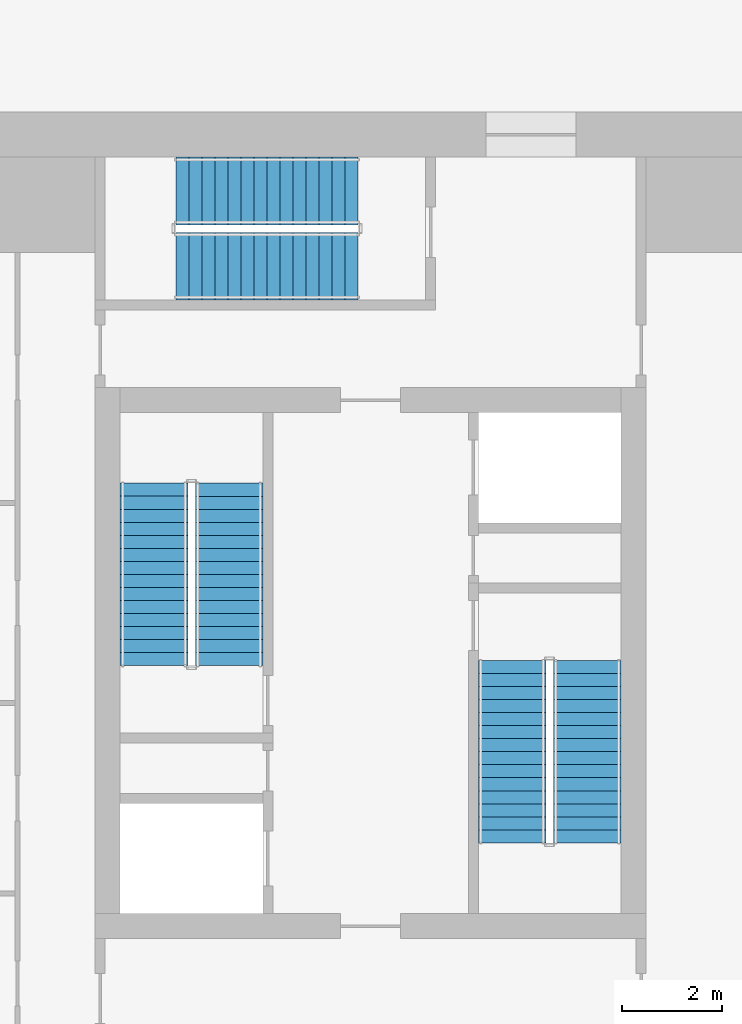
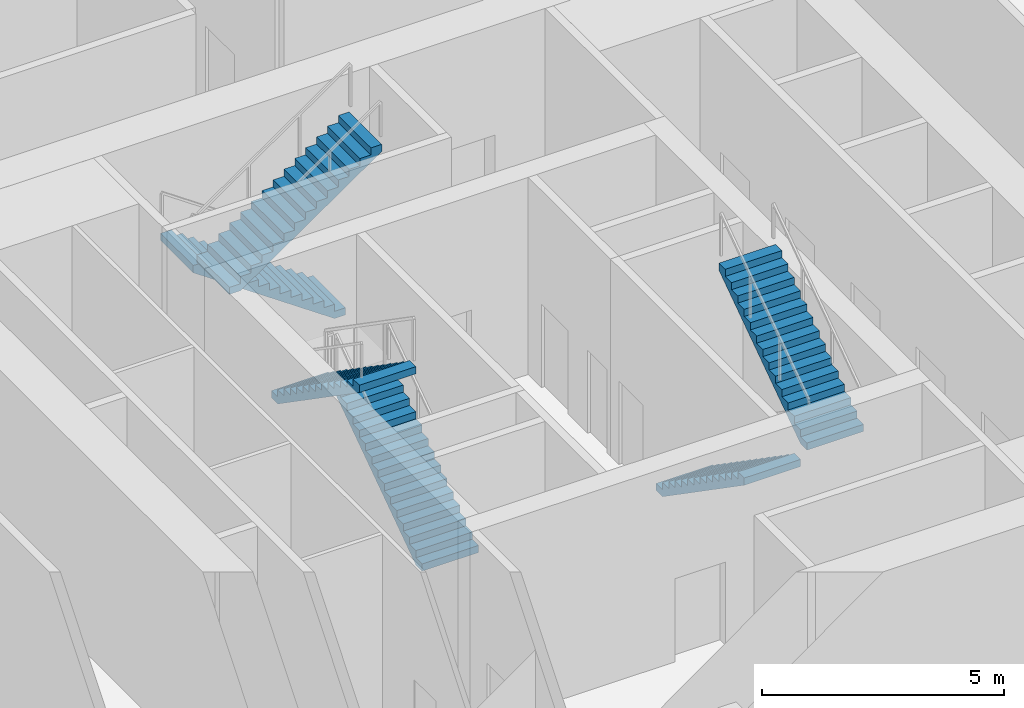
# One storey, part 18 of 21: 6 stair flights, 3 elements without a shape of their own.
"""IFC4 building model written with IfcOpenShell, lengths in metres."""

import ifcopenshell
import ifcopenshell.guid

model = None  # the IFC model being written
_history = None  # IfcOwnerHistory: only IFC2X3 demands one
_inside = {}  # id of a spatial element -> (the spatial element, [elements in it])
_under = {}  # id of a project, library or spatial element -> (it, [spatial elements below it])
_declared = {}  # id of a project -> (the project, [libraries it declares])
_typed = {}  # id of a type object -> (the type object, [elements of that type])
_made_of = {}  # id of a material, layer set ... -> (it, [elements and type objects made of it])


def new_model(schema):
    """Start an empty IFC model of exactly this schema.

    Asked for "IFC4X3", IfcOpenShell would pick the latest addendum, in which some entities
    have other attributes; the version numbers below select the first issue.
    IFC2X3 requires an IfcOwnerHistory on every rooted entity: one is made here for all.
    """
    global model, _history
    if schema == "IFC4X3":
        model = ifcopenshell.file(schema_version=(4, 3, 0, 0))
    else:
        model = ifcopenshell.file(schema=schema)
    _inside.clear()
    _under.clear()
    _declared.clear()
    _typed.clear()
    _made_of.clear()
    _history = None
    if model.schema == "IFC2X3":
        org = make("IfcOrganization", Name="unknown")
        user = make(
            "IfcPersonAndOrganization",
            ThePerson=make("IfcPerson", FamilyName="unknown"),
            TheOrganization=org,
        )
        app = make(
            "IfcApplication",
            ApplicationDeveloper=org,
            Version="unknown",
            ApplicationFullName="unknown",
            ApplicationIdentifier="unknown",
        )
        _history = make(
            "IfcOwnerHistory",
            OwningUser=user,
            OwningApplication=app,
            ChangeAction="ADDED",
            CreationDate=0,
        )
    return model


def make(cls, **values):
    """One entity of the class cls with the attributes given. An attribute that is None is left unset."""
    return model.create_entity(
        cls, **{name: value for name, value in values.items() if value is not None}
    )


def rooted(cls, **values):
    """An entity with a GlobalId (a new one), such as an element, a storey or a relation."""
    return make(cls, GlobalId=ifcopenshell.guid.new(), OwnerHistory=_history, **values)


def si_unit(unit_type, name, prefix=None):
    """IfcSIUnit, for example si_unit("LENGTHUNIT", "METRE", prefix="MILLI")."""
    return make("IfcSIUnit", UnitType=unit_type, Prefix=prefix, Name=name)


def assignment(units):
    """IfcUnitAssignment: the units of a project."""
    return None if units is None else make("IfcUnitAssignment", Units=units)


def point(xyz):
    """IfcCartesianPoint."""
    return None if xyz is None else make("IfcCartesianPoint", Coordinates=xyz)


def direction(xyz):
    """IfcDirection."""
    return None if xyz is None else make("IfcDirection", DirectionRatios=xyz)


def frame(location, z_axis=None, x_axis=None):
    """IfcAxis2Placement3D, a coordinate frame: its origin and axes. An axis left out is left unset."""
    return make(
        "IfcAxis2Placement3D",
        Location=point(location),
        Axis=direction(z_axis),
        RefDirection=direction(x_axis),
    )


def origin():
    """The frame at (0, 0, 0) with its axes left unset."""
    return frame((0.0, 0.0, 0.0))


def place(relative_to, where):
    """IfcLocalPlacement: puts the frame where relative to a parent placement (None: the world)."""
    return make(
        "IfcLocalPlacement", PlacementRelTo=relative_to, RelativePlacement=where
    )


def context(
    kind, dimensions, precision=None, world=None, true_north=None, identifier=None
):
    """IfcGeometricRepresentationContext, for example the 3D "Model" context."""
    return make(
        "IfcGeometricRepresentationContext",
        ContextIdentifier=identifier,
        ContextType=kind,
        CoordinateSpaceDimension=dimensions,
        Precision=precision,
        WorldCoordinateSystem=world,
        TrueNorth=true_north,
    )


def subcontext(parent, identifier, kind, view, scale=None):
    """IfcGeometricRepresentationSubContext, for example "Body" below "Model"."""
    return make(
        "IfcGeometricRepresentationSubContext",
        ContextIdentifier=identifier,
        ContextType=kind,
        ParentContext=parent,
        TargetScale=scale,
        TargetView=view,
    )


def project(units=None, contexts=None):
    """IfcProject with its units and contexts."""
    return rooted(
        "IfcProject",
        Name="project",
        RepresentationContexts=contexts,
        UnitsInContext=assignment(units),
    )


def spatial(cls, under=None, at=None, **own):
    """A site, building, storey or space (cls), placed at a placement, below another one or the project."""
    s = rooted(cls, ObjectPlacement=at, **own)
    if under is not None:
        _under.setdefault(under.id(), (under, []))[1].append(s)
    return s


def polyline(points):
    """IfcPolyline through the points."""
    return make("IfcPolyline", Points=[point(p) for p in points])


def outline(outer, holes=None, kind="AREA"):
    """IfcArbitraryClosedProfileDef: a profile drawn as a closed curve; with holes, ...WithVoids."""
    if holes is None:
        return make("IfcArbitraryClosedProfileDef", ProfileType=kind, OuterCurve=outer)
    return make(
        "IfcArbitraryProfileDefWithVoids",
        ProfileType=kind,
        OuterCurve=outer,
        InnerCurves=holes,
    )


def extrude(swept, where, along, depth):
    """IfcExtrudedAreaSolid: the profile swept, set in the frame where, extruded along a direction by depth."""
    return make(
        "IfcExtrudedAreaSolid",
        SweptArea=swept,
        Position=where,
        ExtrudedDirection=direction(along),
        Depth=depth,
    )


def shape(context_of_items, identifier, shape_type, items):
    """IfcShapeRepresentation: the items that make up one representation, for example the "Body"."""
    return make(
        "IfcShapeRepresentation",
        ContextOfItems=context_of_items,
        RepresentationIdentifier=identifier,
        RepresentationType=shape_type,
        Items=items,
    )


def material(Name=None, Category=None):
    """IfcMaterial."""
    return make("IfcMaterial", Name=Name, Category=Category)


def made_of(thing, what):
    """Note that an element or type object is made of a material, layer set ...; save() writes the relation."""
    if what is not None:
        _made_of.setdefault(what.id(), (what, []))[1].append(thing)
    return thing


def type_object(cls, material=None, **own):
    """A type object (cls), such as IfcWallType, which elements share."""
    return made_of(rooted(cls, **own), material)


def element(
    cls,
    number,
    at=None,
    inside=None,
    cuts=None,
    type_object=None,
    material=None,
    context=None,
    identifier="Body",
    shape_type=None,
    held_by="IfcProductDefinitionShape",
    body=None,
    shapes=None,
    **own,
):
    """One element of the class cls, such as IfcWall. Its Tag is "e" and its number.

    at: its placement. inside: the storey or other place that contains it. cuts: it is an
    opening in that element (IfcRelVoidsElement). A single representation is given by context,
    identifier, shape_type and body (its items); several are given by shapes. held_by: the class
    of the entity that holds the representations. save() writes the other relations.
    """
    e = rooted(cls, Tag="e%d" % number, ObjectPlacement=at, **own)
    if body is not None:
        shapes = [shape(context, identifier, shape_type, body)]
    if shapes is not None:
        e.Representation = make(held_by, Representations=shapes)
    if inside is not None:
        _inside.setdefault(inside.id(), (inside, []))[1].append(e)
    if cuts is not None:
        rooted(
            "IfcRelVoidsElement", RelatingBuildingElement=cuts, RelatedOpeningElement=e
        )
    if type_object is not None:
        _typed.setdefault(type_object.id(), (type_object, []))[1].append(e)
    return made_of(e, material)


def aggregate(whole, parts):
    """IfcRelAggregates: a whole, such as a stair, and the parts it consists of."""
    return rooted("IfcRelAggregates", RelatingObject=whole, RelatedObjects=parts)


def save(model, path):
    """Write the relations noted so far, then the file.

    IfcRelAggregates (storeys below a building ...), IfcRelContainedInSpatialStructure (elements
    in a storey), IfcRelDefinesByType, IfcRelAssociatesMaterial and IfcRelDeclares: one each for
    every whole, place, type object, material and project.
    """
    for whole, parts in _under.values():
        aggregate(whole, parts)
    for where, things in _inside.values():
        rooted(
            "IfcRelContainedInSpatialStructure",
            RelatedElements=things,
            RelatingStructure=where,
        )
    for kind, things in _typed.values():
        rooted("IfcRelDefinesByType", RelatedObjects=things, RelatingType=kind)
    for what, things in _made_of.values():
        rooted("IfcRelAssociatesMaterial", RelatedObjects=things, RelatingMaterial=what)
    for by, libraries in _declared.values():
        rooted("IfcRelDeclares", RelatingContext=by, RelatedDefinitions=libraries)
    model.write(path)


model = new_model("IFC4")

# Units and contexts
model_context = context("Model", 3, precision=1e-05, world=origin(), true_north=direction((0.0, 1.0)))
body_context = subcontext(model_context, "Body", "Model", "MODEL_VIEW")
ifc_project = project(units=[si_unit("LENGTHUNIT", "METRE"), si_unit("AREAUNIT", "SQUARE_METRE"), si_unit("VOLUMEUNIT", "CUBIC_METRE"), si_unit("PLANEANGLEUNIT", "RADIAN"), si_unit("MASSUNIT", "GRAM", prefix="KILO")], contexts=[model_context])

# Site, building, storey
site_placement = place(None, origin())
site = spatial("IfcSite", under=ifc_project, at=site_placement, CompositionType="ELEMENT")
building_placement = place(site_placement, origin())
building = spatial("IfcBuilding", under=site, at=building_placement, Name="Khepri Terraces", CompositionType="ELEMENT")
storey_placement = place(building_placement, frame((0.0, 0.0, 235.199951171875)))
storey = spatial("IfcBuildingStorey", under=building, at=storey_placement, Name="L56", CompositionType="ELEMENT", Elevation=235.199951171875)

# Stair, stair flights
ifc_material = material(Name="Concrete C40/50", Category="concrete")
stair_type = type_object("IfcStairType", Name="STAIR-RC-30R", PredefinedType="HALF_TURN_STAIR", material=ifc_material)
stair_1_placement = place(storey_placement, origin())
stair_1 = element("IfcStair", 1, at=stair_1_placement, inside=storey, type_object=stair_type, Name="L56 Exit Stair ST-1", PredefinedType="HALF_TURN_STAIR")
stair_flight_type = type_object("IfcStairFlightType", Name="SFL-RC-180", PredefinedType="STRAIGHT", material=ifc_material)
stair_flight_1_placement = place(storey_placement, frame((-2.824951171875, -0.050048828125, 0.0), z_axis=(0.0, 0.0, 1.0), x_axis=(0.0, 1.0, 0.0)))
stair_flight_1 = element("IfcStairFlight", 2, at=stair_flight_1_placement, type_object=stair_flight_type, Name="ST-1 flight 1", NumberOfRisers=15, NumberOfTreads=14, PredefinedType="STRAIGHT", RiserHeight=0.18, TreadLength=0.26, context=body_context, shape_type="SweptSolid", body=[
    extrude(outline(polyline([(0.0, 0.0), (0.0, 0.179931640625), (0.260009765625, 0.179931640625), (0.260009765625, 0.360107421875), (0.52001953125, 0.360107421875), (0.52001953125, 0.5400390625), (0.780029296875, 0.5400390625), (0.780029296875, 0.719970703125), (1.0400390625, 0.719970703125), (1.0400390625, 0.89990234375), (1.300048828125, 0.89990234375), (1.300048828125, 1.080078125), (1.56005859375, 1.080078125), (1.56005859375, 1.260009765625), (1.820068359375, 1.260009765625), (1.820068359375, 1.43994140625), (2.080078125, 1.43994140625), (2.080078125, 1.6201171875), (2.340087890625, 1.6201171875), (2.340087890625, 1.800048828125), (2.60009765625, 1.800048828125), (2.60009765625, 1.97998046875), (2.860107421875, 1.97998046875), (2.860107421875, 2.159912109375), (3.1201171875, 2.159912109375), (3.1201171875, 2.340087890625), (3.3798828125, 2.340087890625), (3.3798828125, 2.52001953125), (3.639892578125, 2.52001953125), (3.639892578125, 2.699951171875), (3.639892578125, 2.337646484375), (0.263427734375, 0.0), (0.0, 0.0)])), frame((0.0, 0.675048828125, 0.0), z_axis=(0.0, -1.0, 0.0), x_axis=(1.0, 0.0, 0.0)), (0.0, 0.0, 1.0), 1.35009765625),
])
stair_flight_2_placement = place(storey_placement, frame((-4.324951171875, 3.590087890625, 2.699951171875), z_axis=(0.0, 0.0, 1.0), x_axis=(0.0, -1.0, 0.0)))
stair_flight_2 = element("IfcStairFlight", 3, at=stair_flight_2_placement, type_object=stair_flight_type, Name="ST-1 flight 2", NumberOfRisers=15, NumberOfTreads=14, PredefinedType="STRAIGHT", RiserHeight=0.18, TreadLength=0.26, context=body_context, shape_type="SweptSolid", body=[
    extrude(outline(polyline([(0.0, 0.0), (0.0, 0.179931640625), (0.260009765625, 0.179931640625), (0.260009765625, 0.360107421875), (0.52001953125, 0.360107421875), (0.52001953125, 0.5400390625), (0.780029296875, 0.5400390625), (0.780029296875, 0.719970703125), (1.0400390625, 0.719970703125), (1.0400390625, 0.89990234375), (1.300048828125, 0.89990234375), (1.300048828125, 1.080078125), (1.56005859375, 1.080078125), (1.56005859375, 1.260009765625), (1.820068359375, 1.260009765625), (1.820068359375, 1.43994140625), (2.080078125, 1.43994140625), (2.080078125, 1.6201171875), (2.340087890625, 1.6201171875), (2.340087890625, 1.800048828125), (2.60009765625, 1.800048828125), (2.60009765625, 1.97998046875), (2.860107421875, 1.97998046875), (2.860107421875, 2.159912109375), (3.1201171875, 2.159912109375), (3.1201171875, 2.340087890625), (3.3798828125, 2.340087890625), (3.3798828125, 2.52001953125), (3.639892578125, 2.52001953125), (3.639892578125, 2.699951171875), (3.639892578125, 2.337646484375), (0.263427734375, 0.0), (0.0, 0.0)])), frame((0.0, 0.675048828125, 0.0), z_axis=(0.0, -1.0, 0.0), x_axis=(1.0, 0.0, 0.0)), (0.0, 0.0, 1.0), 1.35009765625),
])
aggregate(stair_1, [stair_flight_1, stair_flight_2])

stair_2_placement = place(storey_placement, origin())
stair_2 = element("IfcStair", 4, at=stair_2_placement, inside=storey, type_object=stair_type, Name="L56 Exit Stair ST-2", PredefinedType="HALF_TURN_STAIR")
stair_flight_3_placement = place(storey_placement, frame((2.824951171875, 0.050048828125, 0.0), z_axis=(0.0, 0.0, 1.0), x_axis=(0.0, -1.0, 0.0)))
stair_flight_3 = element("IfcStairFlight", 5, at=stair_flight_3_placement, type_object=stair_flight_type, Name="ST-2 flight 1", NumberOfRisers=15, NumberOfTreads=14, PredefinedType="STRAIGHT", RiserHeight=0.18, TreadLength=0.26, context=body_context, shape_type="SweptSolid", body=[
    extrude(outline(polyline([(0.0, 0.0), (0.0, 0.179931640625), (0.260009765625, 0.179931640625), (0.260009765625, 0.360107421875), (0.52001953125, 0.360107421875), (0.52001953125, 0.5400390625), (0.780029296875, 0.5400390625), (0.780029296875, 0.719970703125), (1.0400390625, 0.719970703125), (1.0400390625, 0.89990234375), (1.300048828125, 0.89990234375), (1.300048828125, 1.080078125), (1.56005859375, 1.080078125), (1.56005859375, 1.260009765625), (1.820068359375, 1.260009765625), (1.820068359375, 1.43994140625), (2.080078125, 1.43994140625), (2.080078125, 1.6201171875), (2.340087890625, 1.6201171875), (2.340087890625, 1.800048828125), (2.60009765625, 1.800048828125), (2.60009765625, 1.97998046875), (2.860107421875, 1.97998046875), (2.860107421875, 2.159912109375), (3.1201171875, 2.159912109375), (3.1201171875, 2.340087890625), (3.3798828125, 2.340087890625), (3.3798828125, 2.52001953125), (3.639892578125, 2.52001953125), (3.639892578125, 2.699951171875), (3.639892578125, 2.337646484375), (0.263427734375, 0.0), (0.0, 0.0)])), frame((0.0, 0.675048828125, 0.0), z_axis=(0.0, -1.0, 0.0), x_axis=(1.0, 0.0, 0.0)), (0.0, 0.0, 1.0), 1.35009765625),
])
stair_flight_4_placement = place(storey_placement, frame((4.324951171875, -3.590087890625, 2.699951171875), z_axis=(0.0, 0.0, 1.0), x_axis=(0.0, 1.0, 0.0)))
stair_flight_4 = element("IfcStairFlight", 6, at=stair_flight_4_placement, type_object=stair_flight_type, Name="ST-2 flight 2", NumberOfRisers=15, NumberOfTreads=14, PredefinedType="STRAIGHT", RiserHeight=0.18, TreadLength=0.26, context=body_context, shape_type="SweptSolid", body=[
    extrude(outline(polyline([(0.0, 0.0), (0.0, 0.179931640625), (0.260009765625, 0.179931640625), (0.260009765625, 0.360107421875), (0.52001953125, 0.360107421875), (0.52001953125, 0.5400390625), (0.780029296875, 0.5400390625), (0.780029296875, 0.719970703125), (1.0400390625, 0.719970703125), (1.0400390625, 0.89990234375), (1.300048828125, 0.89990234375), (1.300048828125, 1.080078125), (1.56005859375, 1.080078125), (1.56005859375, 1.260009765625), (1.820068359375, 1.260009765625), (1.820068359375, 1.43994140625), (2.080078125, 1.43994140625), (2.080078125, 1.6201171875), (2.340087890625, 1.6201171875), (2.340087890625, 1.800048828125), (2.60009765625, 1.800048828125), (2.60009765625, 1.97998046875), (2.860107421875, 1.97998046875), (2.860107421875, 2.159912109375), (3.1201171875, 2.159912109375), (3.1201171875, 2.340087890625), (3.3798828125, 2.340087890625), (3.3798828125, 2.52001953125), (3.639892578125, 2.52001953125), (3.639892578125, 2.699951171875), (3.639892578125, 2.337646484375), (0.263427734375, 0.0), (0.0, 0.0)])), frame((0.0, 0.675048828125, 0.0), z_axis=(0.0, -1.0, 0.0), x_axis=(1.0, 0.0, 0.0)), (0.0, 0.0, 1.0), 1.35009765625),
])
aggregate(stair_2, [stair_flight_3, stair_flight_4])

stair_3_placement = place(storey_placement, origin())
stair_3 = element("IfcStair", 7, at=stair_3_placement, inside=storey, type_object=stair_type, Name="L56 Exit Stair ST-3", PredefinedType="HALF_TURN_STAIR")
stair_flight_5_placement = place(storey_placement, frame((-0.25, 9.425048828125, 0.0), z_axis=(0.0, 0.0, 1.0), x_axis=(-1.0, 0.0, 0.0)))
stair_flight_5 = element("IfcStairFlight", 8, at=stair_flight_5_placement, type_object=stair_flight_type, Name="ST-3 flight 1", NumberOfRisers=15, NumberOfTreads=14, PredefinedType="STRAIGHT", RiserHeight=0.18, TreadLength=0.26, context=body_context, shape_type="SweptSolid", body=[
    extrude(outline(polyline([(0.0, 0.0), (0.0, 0.179931640625), (0.260009765625, 0.179931640625), (0.260009765625, 0.360107421875), (0.52001953125, 0.360107421875), (0.52001953125, 0.5400390625), (0.780029296875, 0.5400390625), (0.780029296875, 0.719970703125), (1.0400390625, 0.719970703125), (1.0400390625, 0.89990234375), (1.300048828125, 0.89990234375), (1.300048828125, 1.080078125), (1.56005859375, 1.080078125), (1.56005859375, 1.260009765625), (1.820068359375, 1.260009765625), (1.820068359375, 1.43994140625), (2.080078125, 1.43994140625), (2.080078125, 1.6201171875), (2.340087890625, 1.6201171875), (2.340087890625, 1.800048828125), (2.60009765625, 1.800048828125), (2.60009765625, 1.97998046875), (2.860107421875, 1.97998046875), (2.860107421875, 2.159912109375), (3.1201171875, 2.159912109375), (3.1201171875, 2.340087890625), (3.3798828125, 2.340087890625), (3.3798828125, 2.52001953125), (3.639892578125, 2.52001953125), (3.639892578125, 2.699951171875), (3.639892578125, 2.337646484375), (0.263427734375, 0.0), (0.0, 0.0)])), frame((0.0, 0.675048828125, 0.0), z_axis=(0.0, -1.0, 0.0), x_axis=(1.0, 0.0, 0.0)), (0.0, 0.0, 1.0), 1.35009765625),
])
stair_flight_6_placement = place(storey_placement, frame((-3.889892578125, 7.925048828125, 2.699951171875), z_axis=(0.0, 0.0, 1.0), x_axis=(1.0, 0.0, 0.0)))
stair_flight_6 = element("IfcStairFlight", 9, at=stair_flight_6_placement, type_object=stair_flight_type, Name="ST-3 flight 2", NumberOfRisers=15, NumberOfTreads=14, PredefinedType="STRAIGHT", RiserHeight=0.18, TreadLength=0.26, context=body_context, shape_type="SweptSolid", body=[
    extrude(outline(polyline([(0.0, 0.0), (0.0, 0.179931640625), (0.260009765625, 0.179931640625), (0.260009765625, 0.360107421875), (0.52001953125, 0.360107421875), (0.52001953125, 0.5400390625), (0.780029296875, 0.5400390625), (0.780029296875, 0.719970703125), (1.0400390625, 0.719970703125), (1.0400390625, 0.89990234375), (1.300048828125, 0.89990234375), (1.300048828125, 1.080078125), (1.56005859375, 1.080078125), (1.56005859375, 1.260009765625), (1.820068359375, 1.260009765625), (1.820068359375, 1.43994140625), (2.080078125, 1.43994140625), (2.080078125, 1.6201171875), (2.340087890625, 1.6201171875), (2.340087890625, 1.800048828125), (2.60009765625, 1.800048828125), (2.60009765625, 1.97998046875), (2.860107421875, 1.97998046875), (2.860107421875, 2.159912109375), (3.1201171875, 2.159912109375), (3.1201171875, 2.340087890625), (3.3798828125, 2.340087890625), (3.3798828125, 2.52001953125), (3.639892578125, 2.52001953125), (3.639892578125, 2.699951171875), (3.639892578125, 2.337646484375), (0.263427734375, 0.0), (0.0, 0.0)])), frame((0.0, 0.675048828125, 0.0), z_axis=(0.0, -1.0, 0.0), x_axis=(1.0, 0.0, 0.0)), (0.0, 0.0, 1.0), 1.35009765625),
])
aggregate(stair_3, [stair_flight_5, stair_flight_6])

save(model, "model.ifc")
